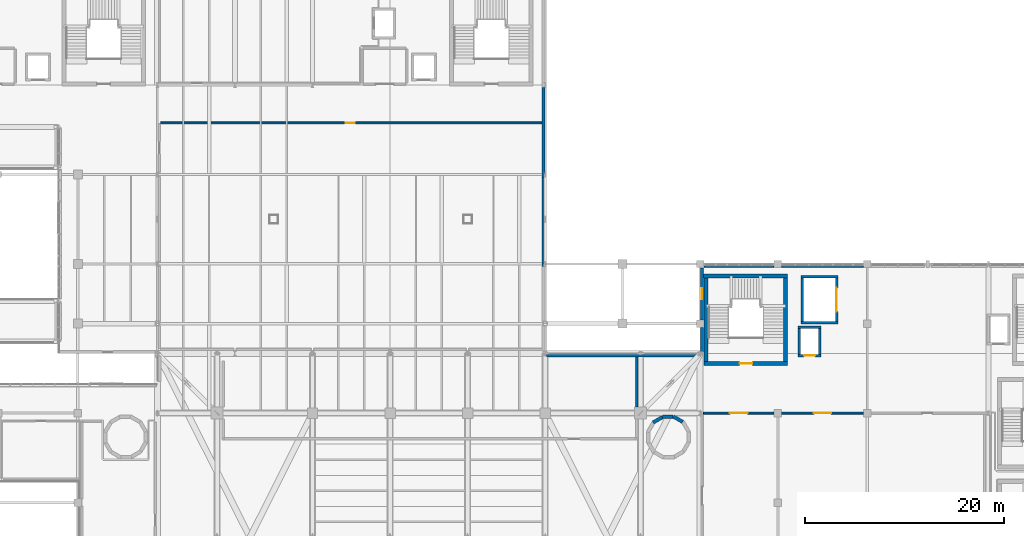
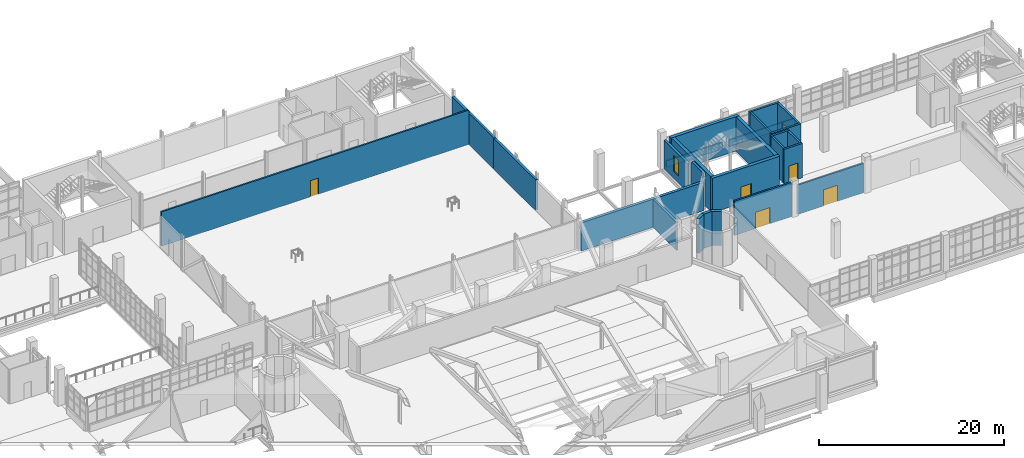
# One storey, part 114 of 127: 26 walls, 6 doors, 1 window, 7 openings.
"""IFC4 building model written with IfcOpenShell, lengths in metres."""

from ifc_helpers import new_model, si_unit, derived_unit, direction, frame, frame_2d, origin, place, context, subcontext, project, spatial, rectangle, extrude, material, layer, layer_set, type_object, element, fill, save


model = new_model("IFC4")

# Units and contexts
model_context = context("Model", 3, precision=1e-05, world=origin(), true_north=direction((0.0, 1.0)))
body_context = subcontext(model_context, "Body", "Model", "MODEL_VIEW")
ifc_project = project(units=[si_unit("LENGTHUNIT", "METRE"), si_unit("AREAUNIT", "SQUARE_METRE"), si_unit("VOLUMEUNIT", "CUBIC_METRE"), si_unit("PLANEANGLEUNIT", "RADIAN"), si_unit("MASSUNIT", "GRAM", prefix="KILO"), derived_unit("THERMALTRANSMITTANCEUNIT", [(si_unit("POWERUNIT", "WATT"), 1), (si_unit("LENGTHUNIT", "METRE"), -2), (si_unit("THERMODYNAMICTEMPERATUREUNIT", "KELVIN"), -1)])], contexts=[model_context])

# Site, building, storey
site_placement = place(None, origin())
site = spatial("IfcSite", under=ifc_project, at=site_placement, CompositionType="ELEMENT")
building_placement = place(site_placement, origin())
building = spatial("IfcBuilding", under=site, at=building_placement, Name="Nallur Shell Playhouse", CompositionType="ELEMENT")
storey_placement = place(building_placement, frame((0.0, 0.0, 5.39990234375)))
storey = spatial("IfcBuildingStorey", under=building, at=storey_placement, Name="L02", CompositionType="ELEMENT", Elevation=5.39990234375)

# Wall, opening, door
ifc_material_1 = material(Name="Concrete M45", Category="concrete")
ifc_layer_1 = layer(ifc_material_1, 0.39990234375)
ifc_layer_set_1 = layer_set([ifc_layer_1], Name="Concrete M45")
wall_type_1 = type_object("IfcWallType", Name="WL-CORE-400", PredefinedType="SHEAR", material=ifc_layer_set_1)
wall_1_placement = place(storey_placement, frame((119.0, 46.0, 0.0), z_axis=(0.0, 0.0, 1.0), x_axis=(1.0, 0.0, 0.0)))
wall_1 = element("IfcWall", 1, at=wall_1_placement, inside=storey, type_object=wall_type_1, Name="Joint Core JC-2 shear wall S (L02)", PredefinedType="SHEAR", context=body_context, shape_type="SweptSolid", body=[
    extrude(rectangle(XDim=8.39990234375, YDim=0.39990234375, at=frame_2d((4.199951171875, 0.0))), origin(), (0.0, 0.0, 1.0), 4.5400390625),
])
opening_1_placement = place(wall_1_placement, frame((3.550048828125, 0.0, 0.0)))
opening_1 = element("IfcOpeningElement", 2, at=opening_1_placement, cuts=wall_1, Name="Opening FD-ST1", PredefinedType="OPENING", context=body_context, shape_type="SweptSolid", body=[
    extrude(rectangle(XDim=1.300048828125, YDim=2.14990234375, at=frame_2d((0.64990234375, 1.074951171875))), frame((0.0, 0.2099609375, 0.0), z_axis=(0.0, -1.0, 0.0), x_axis=(1.0, 0.0, 0.0)), (0.0, 0.0, 1.0), 0.419921875),
])
ifc_material_2 = material(Name="Galvanised Steel Fire-Rated Stair Door", Category="steel")
door_type_1 = type_object("IfcDoorType", Name="DR-INT-STAIR-L", OperationType="SINGLE_SWING_LEFT", PredefinedType="DOOR", material=ifc_material_2)
door_1_placement = place(opening_1_placement, origin())
door_1 = element("IfcDoor", 3, at=door_1_placement, inside=storey, type_object=door_type_1, Name="Exit stair ST-02 fire door (L02)", OperationType="SINGLE_SWING_LEFT", OverallHeight=2.14990234375, OverallWidth=1.300048828125, PredefinedType="DOOR", context=body_context, shape_type="SweptSolid", body=[
    extrude(rectangle(XDim=1.300048828125, YDim=2.14990234375, at=frame_2d((0.64990234375, 1.074951171875))), frame((0.0, 0.02490234375, 0.0), z_axis=(0.0, -1.0, 0.0), x_axis=(1.0, 0.0, 0.0)), (0.0, 0.0, 1.0), 0.050048828125),
])
fill(opening_1, door_1)

# Walls
wall_2_placement = place(storey_placement, frame((127.39990234375, 54.800048828125, 0.0), z_axis=(0.0, 0.0, 1.0), x_axis=(-1.0, 0.0, 0.0)))
element("IfcWall", 4, at=wall_2_placement, inside=storey, type_object=wall_type_1, Name="Joint Core JC-2 shear wall N (L02)", PredefinedType="SHEAR", context=body_context, shape_type="SweptSolid", body=[
    extrude(rectangle(XDim=8.475830078125, YDim=0.39990234375, at=frame_2d((4.23779296875, 0.0))), origin(), (0.0, 0.0, 1.0), 4.5400390625),
])
for number, where, z_axis, x_axis, name in (
    (5, (127.199951171875, 46.2099609375, 0.0), (0.0, 0.0, 1.0), (0.0, 1.0, 0.0), "Joint Core JC-2 shear wall E (L02)"),
    (6, (119.199951171875, 54.590087890625, 0.0), (0.0, 0.0, 1.0), (0.0, -1.0, 0.0), "Joint Core JC-2 shear wall W (L02)"),
):
    element("IfcWall", number, at=place(storey_placement, frame(where, z_axis=z_axis, x_axis=x_axis)), inside=storey, type_object=wall_type_1, Name=name, PredefinedType="SHEAR", context=body_context, shape_type="SweptSolid", body=[
        extrude(rectangle(XDim=8.380126953125, YDim=0.39990234375, at=frame_2d((4.18994140625, 0.0))), origin(), (0.0, 0.0, 1.0), 4.5400390625),
    ])
for number, where, z_axis, x_axis, name in (
    (7, (116.8330078125, 40.114990234375, 0.0), (0.0, 0.0, 1.0), (-0.866062834654, 0.499935162227, 0.0), "Metabolist service drum DR-2 facet 2 (L02)"),
    (8, (115.883544921875, 40.62841796875, 0.0), (0.0, 0.0, 1.0), (-1.0, 0.0, 0.0), "Metabolist service drum DR-2 facet 3 (L02)"),
    (9, (114.804443359375, 40.598388671875, 0.0), (0.0, 0.0, 1.0), (-0.866062834654, -0.499935162227, 0.0), "Metabolist service drum DR-2 facet 4 (L02)"),
):
    element("IfcWall", number, at=place(storey_placement, frame(where, z_axis=z_axis, x_axis=x_axis)), inside=storey, type_object=wall_type_1, Name=name, PredefinedType="SHEAR", context=body_context, shape_type="SweptSolid", body=[
        extrude(rectangle(XDim=1.093017578125, YDim=0.35009765625, at=frame_2d((0.54638671875, 0.0))), origin(), (0.0, 0.0, 1.0), 4.5400390625),
    ])
ifc_material_3 = material(Name="Concrete M35", Category="concrete")
ifc_layer_2 = layer(ifc_material_3, 0.35009765625)
ifc_layer_set_2 = layer_set([ifc_layer_2], Name="Concrete M35")
wall_type_2 = type_object("IfcWallType", Name="WL-EXT-AC350", PredefinedType="STANDARD", material=ifc_layer_set_2)
wall_3_placement = place(storey_placement, frame((103.12890625, 46.804931640625, 0.0), z_axis=(0.0, 0.0, 1.0), x_axis=(1.0, 0.0, 0.0)))
element("IfcWall", 10, at=wall_3_placement, inside=storey, type_object=wall_type_2, Name="L02 exterior wall EW-L02-102", PredefinedType="STANDARD", context=body_context, shape_type="SweptSolid", body=[
    extrude(rectangle(XDim=15.2861328125, YDim=0.35009765625, at=frame_2d((7.64306640625, 0.0))), origin(), (0.0, 0.0, 1.0), 3.72509765625),
])
ifc_layer_3 = layer(ifc_material_3, 0.300048828125)
ifc_layer_set_3 = layer_set([ifc_layer_3], Name="Concrete M35")
wall_type_3 = type_object("IfcWallType", Name="WL-EXT-RC300", PredefinedType="STANDARD", material=ifc_layer_set_3)
wall_4_placement = place(storey_placement, frame((102.830078125, 73.76708984375, 0.0), z_axis=(0.0, 0.0, 1.0), x_axis=(0.0, -1.0, 0.0)))
element("IfcWall", 11, at=wall_4_placement, inside=storey, type_object=wall_type_3, Name="L02 exterior wall EW-L02-098", PredefinedType="STANDARD", context=body_context, shape_type="SweptSolid", body=[
    extrude(rectangle(XDim=9.0, YDim=0.300048828125, at=frame_2d((4.5, 0.0))), origin(), (0.0, 0.0, 1.0), 4.0751953125),
])
wall_5_placement = place(storey_placement, frame((102.830078125, 64.76708984375, 0.0), z_axis=(0.0, 0.0, 1.0), x_axis=(0.0, -1.0, 0.0)))
element("IfcWall", 12, at=wall_5_placement, inside=storey, type_object=wall_type_3, Name="L02 exterior wall EW-L02-099", PredefinedType="STANDARD", context=body_context, shape_type="SweptSolid", body=[
    extrude(rectangle(XDim=9.0, YDim=0.300048828125, at=frame_2d((4.5, 0.0))), origin(), (0.0, 0.0, 1.0), 4.025146484375),
])
wall_6_placement = place(storey_placement, frame((118.77001953125, 47.159912109375, 0.0), z_axis=(0.0, 0.0, 1.0), x_axis=(0.0, 1.0, 0.0)))
element("IfcWall", 13, at=wall_6_placement, inside=storey, type_object=wall_type_3, Name="L02 exterior wall EW-L02-103", PredefinedType="STANDARD", context=body_context, shape_type="SweptSolid", body=[
    extrude(rectangle(XDim=2.45703125, YDim=0.300048828125, at=frame_2d((1.228515625, 0.0))), origin(), (0.0, 0.0, 1.0), 4.5400390625),
])

# Wall, opening, window
wall_7_placement = place(storey_placement, frame((118.77001953125, 50.383056640625, 0.0), z_axis=(0.0, 0.0, 1.0), x_axis=(0.0, 1.0, 0.0)))
wall_7 = element("IfcWall", 14, at=wall_7_placement, inside=storey, type_object=wall_type_3, Name="L02 exterior wall EW-L02-104", PredefinedType="STANDARD", context=body_context, shape_type="SweptSolid", body=[
    extrude(rectangle(XDim=5.23388671875, YDim=0.300048828125, at=frame_2d((2.616943359375, 0.0))), origin(), (0.0, 0.0, 1.0), 3.775146484375),
])
opening_2_placement = place(wall_7_placement, frame((2.06689453125, 0.0, 0.949951171875)))
opening_2 = element("IfcOpeningElement", 15, at=opening_2_placement, cuts=wall_7, Name="Opening WN-08", PredefinedType="OPENING", context=body_context, shape_type="SweptSolid", body=[
    extrude(rectangle(XDim=1.10009765625, YDim=2.10009765625, at=frame_2d((0.550048828125, 1.050048828125))), frame((0.0, 0.16015625, 0.0), z_axis=(0.0, -1.0, 0.0), x_axis=(1.0, 0.0, 0.0)), (0.0, 0.0, 1.0), 0.320068359375),
])
ifc_material_4 = material(Name="Thermally Broken Aluminium Acoustic Double-Glazed Window", Category="aluminium")
window_type = type_object("IfcWindowType", Name="WN-TYPE-08", PartitioningType="SINGLE_PANEL", PredefinedType="WINDOW", material=ifc_material_4)
window_placement = place(opening_2_placement, origin())
window = element("IfcWindow", 16, at=window_placement, inside=storey, type_object=window_type, Name="L02 facade module window 040", OverallHeight=2.10009765625, OverallWidth=1.10009765625, PartitioningType="SINGLE_PANEL", PredefinedType="WINDOW", context=body_context, shape_type="SweptSolid", body=[
    extrude(rectangle(XDim=1.10009765625, YDim=2.10009765625, at=frame_2d((0.550048828125, 1.050048828125))), frame((0.0, 0.030029296875, 0.0), z_axis=(0.0, -1.0, 0.0), x_axis=(1.0, 0.0, 0.0)), (0.0, 0.0, 1.0), 0.06005859375),
])
fill(opening_2, window)

# Walls
ifc_layer_4 = layer(ifc_material_3, 0.179931640625)
ifc_layer_set_4 = layer_set([ifc_layer_4], Name="Concrete M35")
wall_type_4 = type_object("IfcWallType", Name="WL-PARAPET-180", PredefinedType="PARAPET", material=ifc_layer_set_4)
wall_8_placement = place(storey_placement, frame((118.985107421875, 55.760009765625, 0.0), z_axis=(0.0, 0.0, 1.0), x_axis=(1.0, 0.0, 0.0)))
element("IfcWall", 17, at=wall_8_placement, inside=storey, type_object=wall_type_4, Name="L02 curtain-wall internal spandrel upstand 013", PredefinedType="PARAPET", context=body_context, shape_type="SweptSolid", body=[
    extrude(rectangle(XDim=7.02978515625, YDim=0.179931640625, at=frame_2d((3.514892578125, 0.0))), origin(), (0.0, 0.0, 1.0), 0.880126953125),
])
wall_9_placement = place(storey_placement, frame((126.784912109375, 55.760009765625, 0.0), z_axis=(0.0, 0.0, 1.0), x_axis=(1.0, 0.0, 0.0)))
element("IfcWall", 18, at=wall_9_placement, inside=storey, type_object=wall_type_4, Name="L02 curtain-wall internal spandrel upstand 014", PredefinedType="PARAPET", context=body_context, shape_type="SweptSolid", body=[
    extrude(rectangle(XDim=8.22998046875, YDim=0.179931640625, at=frame_2d((4.114990234375, 0.0))), origin(), (0.0, 0.0, 1.0), 0.880126953125),
])

# Wall, opening, door
ifc_material_5 = material(Name="Concrete M30", Category="concrete")
ifc_layer_5 = layer(ifc_material_5, 0.199951171875)
ifc_layer_set_5 = layer_set([ifc_layer_5], Name="Concrete M30")
wall_type_5 = type_object("IfcWallType", Name="WL-PART-AC200", PredefinedType="PARTITIONING", material=ifc_layer_set_5)
wall_10_placement = place(storey_placement, frame((118.919921875, 41.0, 0.0), z_axis=(0.0, 0.0, 1.0), x_axis=(1.0, 0.0, 0.0)))
wall_10 = element("IfcWall", 19, at=wall_10_placement, inside=storey, type_object=wall_type_5, Name="Studio Theatre Pre-Function Foyer partition IW-L02-0155", PredefinedType="PARTITIONING", context=body_context, shape_type="SweptSolid", body=[
    extrude(rectangle(XDim=7.090087890625, YDim=0.199951171875, at=frame_2d((3.544921875, 0.0))), origin(), (0.0, 0.0, 1.0), 4.530029296875),
])
opening_3_placement = place(wall_10_placement, frame((2.64501953125, 0.0, 0.0)))
opening_3 = element("IfcOpeningElement", 20, at=opening_3_placement, cuts=wall_10, Name="Opening FD-FL1", PredefinedType="OPENING", context=body_context, shape_type="SweptSolid", body=[
    extrude(rectangle(XDim=1.800048828125, YDim=2.14990234375, at=frame_2d((0.89990234375, 1.074951171875))), frame((0.0, 0.10986328125, 0.0), z_axis=(0.0, -1.0, 0.0), x_axis=(1.0, 0.0, 0.0)), (0.0, 0.0, 1.0), 0.219970703125),
])
ifc_material_6 = material(Name="Firefighting Lobby Smoke-Seal Double Door")
door_type_2 = type_object("IfcDoorType", Name="DR-INT-FFL-DBL", OperationType="DOUBLE_DOOR_SINGLE_SWING", PredefinedType="DOOR", material=ifc_material_6)
door_2_placement = place(opening_3_placement, origin())
door_2 = element("IfcDoor", 21, at=door_2_placement, inside=storey, type_object=door_type_2, Name="L02 circulation link door 0057", OperationType="DOUBLE_DOOR_SINGLE_SWING", OverallHeight=2.14990234375, OverallWidth=1.800048828125, PredefinedType="DOOR", context=body_context, shape_type="SweptSolid", body=[
    extrude(rectangle(XDim=1.800048828125, YDim=2.14990234375, at=frame_2d((0.89990234375, 1.074951171875))), frame((0.0, 0.02490234375, 0.0), z_axis=(0.0, -1.0, 0.0), x_axis=(1.0, 0.0, 0.0)), (0.0, 0.0, 1.0), 0.050048828125),
])
fill(opening_3, door_2)

wall_11_placement = place(storey_placement, frame((126.7900390625, 41.0, 0.0), z_axis=(0.0, 0.0, 1.0), x_axis=(1.0, 0.0, 0.0)))
wall_11 = element("IfcWall", 22, at=wall_11_placement, inside=storey, type_object=wall_type_5, Name="Studio Theatre Pre-Function Foyer partition IW-L02-0156", PredefinedType="PARTITIONING", context=body_context, shape_type="SweptSolid", body=[
    extrude(rectangle(XDim=8.219970703125, YDim=0.199951171875, at=frame_2d((4.10986328125, 0.0))), origin(), (0.0, 0.0, 1.0), 3.89013671875),
])
opening_4_placement = place(wall_11_placement, frame((3.2099609375, 0.0, 0.0)))
opening_4 = element("IfcOpeningElement", 23, at=opening_4_placement, cuts=wall_11, Name="Opening FD-FL1", PredefinedType="OPENING", context=body_context, shape_type="SweptSolid", body=[
    extrude(rectangle(XDim=1.800048828125, YDim=2.14990234375, at=frame_2d((0.89990234375, 1.074951171875))), frame((0.0, 0.10986328125, 0.0), z_axis=(0.0, -1.0, 0.0), x_axis=(1.0, 0.0, 0.0)), (0.0, 0.0, 1.0), 0.219970703125),
])
door_3_placement = place(opening_4_placement, origin())
door_3 = element("IfcDoor", 24, at=door_3_placement, inside=storey, type_object=door_type_2, Name="L02 circulation link door 0058", OperationType="DOUBLE_DOOR_SINGLE_SWING", OverallHeight=2.14990234375, OverallWidth=1.800048828125, PredefinedType="DOOR", context=body_context, shape_type="SweptSolid", body=[
    extrude(rectangle(XDim=1.800048828125, YDim=2.14990234375, at=frame_2d((0.89990234375, 1.074951171875))), frame((0.0, 0.02490234375, 0.0), z_axis=(0.0, -1.0, 0.0), x_axis=(1.0, 0.0, 0.0)), (0.0, 0.0, 1.0), 0.050048828125),
])
fill(opening_4, door_3)

wall_12_placement = place(storey_placement, frame((64.320068359375, 70.199951171875, 0.0), z_axis=(0.0, 0.0, 1.0), x_axis=(1.0, 0.0, 0.0)))
wall_12 = element("IfcWall", 25, at=wall_12_placement, inside=storey, type_object=wall_type_5, Name="Stage Dimmer, Amplifier & Rack Room partition IW-L02-0176", PredefinedType="PARTITIONING", context=body_context, shape_type="SweptSolid", body=[
    extrude(rectangle(XDim=38.35595703125, YDim=0.199951171875, at=frame_2d((19.177978515625, 0.0))), origin(), (0.0, 0.0, 1.0), 4.530029296875),
])
opening_5_placement = place(wall_12_placement, frame((18.60498046875, 0.0, 0.0)))
opening_5 = element("IfcOpeningElement", 26, at=opening_5_placement, cuts=wall_12, Name="Opening ID-04", PredefinedType="OPENING", context=body_context, shape_type="SweptSolid", body=[
    extrude(rectangle(XDim=0.949951171875, YDim=2.14990234375, at=frame_2d((0.47509765625, 1.074951171875))), frame((0.0, 0.10986328125, 0.0), z_axis=(0.0, -1.0, 0.0), x_axis=(1.0, 0.0, 0.0)), (0.0, 0.0, 1.0), 0.219970703125),
])
ifc_material_7 = material(Name="Solid-Core Engineered Timber Door", Category="wood")
door_type_3 = type_object("IfcDoorType", Name="DR-INT-SGL950R", OperationType="SINGLE_SWING_RIGHT", PredefinedType="DOOR", material=ifc_material_7)
door_4_placement = place(opening_5_placement, origin())
door_4 = element("IfcDoor", 27, at=door_4_placement, inside=storey, type_object=door_type_3, Name="Stage Dimmer, Amplifier & Rack Room door 1", OperationType="SINGLE_SWING_RIGHT", OverallHeight=2.14990234375, OverallWidth=0.949951171875, PredefinedType="DOOR", context=body_context, shape_type="SweptSolid", body=[
    extrude(rectangle(XDim=0.949951171875, YDim=2.14990234375, at=frame_2d((0.47509765625, 1.074951171875))), frame((0.0, 0.02490234375, 0.0), z_axis=(0.0, -1.0, 0.0), x_axis=(1.0, 0.0, 0.0)), (0.0, 0.0, 1.0), 0.050048828125),
])
fill(opening_5, door_4)

# Wall
ifc_layer_6 = layer(ifc_material_5, 0.25)
ifc_layer_set_6 = layer_set([ifc_layer_6], Name="Concrete M30")
wall_type_6 = type_object("IfcWallType", Name="WL-PART-AC250", PredefinedType="PARTITIONING", material=ifc_layer_set_6)
wall_13_placement = place(storey_placement, frame((112.199951171875, 46.6259765625, 0.0), z_axis=(0.0, 0.0, 1.0), x_axis=(0.0, -1.0, 0.0)))
element("IfcWall", 28, at=wall_13_placement, inside=storey, type_object=wall_type_6, Name="Main Theatre Auditorium Stalls Bowl partition IW-L02-0134", PredefinedType="PARTITIONING", context=body_context, shape_type="SweptSolid", body=[
    extrude(rectangle(XDim=5.010986328125, YDim=0.25, at=frame_2d((2.50537109375, 0.0))), origin(), (0.0, 0.0, 1.0), 3.72021484375),
])

# Wall, opening, door
ifc_layer_7 = layer(ifc_material_1, 0.25)
ifc_layer_set_7 = layer_set([ifc_layer_7], Name="Concrete M45")
wall_type_7 = type_object("IfcWallType", Name="WL-SHAFT-250", PredefinedType="STANDARD", material=ifc_layer_set_7)
wall_14_placement = place(storey_placement, frame((128.449951171875, 46.77490234375, 0.0), z_axis=(0.0, 0.0, 1.0), x_axis=(1.0, 0.0, 0.0)))
wall_14 = element("IfcWall", 29, at=wall_14_placement, inside=storey, type_object=wall_type_7, Name="Passenger Lift PL-2 shaft wall south (L02)", PredefinedType="STANDARD", context=body_context, shape_type="SweptSolid", body=[
    extrude(rectangle(XDim=2.300048828125, YDim=0.25, at=frame_2d((1.14990234375, 0.0))), origin(), (0.0, 0.0, 1.0), 4.530029296875),
])
opening_6_placement = place(wall_14_placement, frame((0.60009765625, 0.0, 0.0)))
opening_6 = element("IfcOpeningElement", 30, at=opening_6_placement, cuts=wall_14, Name="Opening LD-P1", PredefinedType="OPENING", context=body_context, shape_type="SweptSolid", body=[
    extrude(rectangle(XDim=1.10009765625, YDim=2.14990234375, at=frame_2d((0.550048828125, 1.074951171875))), frame((0.0, 0.135009765625, 0.0), z_axis=(0.0, -1.0, 0.0), x_axis=(1.0, 0.0, 0.0)), (0.0, 0.0, 1.0), 0.27001953125),
])
ifc_material_8 = material(Name="Brushed Stainless Steel Lift Landing Door", Category="steel")
door_type_4 = type_object("IfcDoorType", Name="DR-LIFT-PASS", OperationType="DOUBLE_DOOR_SLIDING", PredefinedType="DOOR", material=ifc_material_8)
door_5_placement = place(opening_6_placement, origin())
door_5 = element("IfcDoor", 31, at=door_5_placement, inside=storey, type_object=door_type_4, Name="Passenger Lift PL-2 sliding landing door (L02)", OperationType="DOUBLE_DOOR_SLIDING", OverallHeight=2.14990234375, OverallWidth=1.10009765625, PredefinedType="DOOR", context=body_context, shape_type="SweptSolid", body=[
    extrude(rectangle(XDim=1.10009765625, YDim=2.14990234375, at=frame_2d((0.550048828125, 1.074951171875))), frame((0.0, 0.02490234375, 0.0), z_axis=(0.0, -1.0, 0.0), x_axis=(1.0, 0.0, 0.0)), (0.0, 0.0, 1.0), 0.050048828125),
])
fill(opening_6, door_5)

# Walls
wall_15_placement = place(storey_placement, frame((130.75, 49.625, 0.0), z_axis=(0.0, 0.0, 1.0), x_axis=(-1.0, 0.0, 0.0)))
element("IfcWall", 32, at=wall_15_placement, inside=storey, type_object=wall_type_7, Name="Passenger Lift PL-2 shaft wall north (L02)", PredefinedType="STANDARD", context=body_context, shape_type="SweptSolid", body=[
    extrude(rectangle(XDim=2.300048828125, YDim=0.25, at=frame_2d((1.14990234375, 0.0))), origin(), (0.0, 0.0, 1.0), 4.530029296875),
])
for number, where, z_axis, x_axis, name in (
    (33, (130.625, 46.909912109375, 0.0), (0.0, 0.0, 1.0), (0.0, 1.0, 0.0), "Passenger Lift PL-2 shaft wall east (L02)"),
    (34, (128.574951171875, 49.489990234375, 0.0), (0.0, 0.0, 1.0), (0.0, -1.0, 0.0), "Passenger Lift PL-2 shaft wall west (L02)"),
):
    element("IfcWall", number, at=place(storey_placement, frame(where, z_axis=z_axis, x_axis=x_axis)), inside=storey, type_object=wall_type_7, Name=name, PredefinedType="STANDARD", context=body_context, shape_type="SweptSolid", body=[
        extrude(rectangle(XDim=2.580078125, YDim=0.25, at=frame_2d((1.2900390625, 0.0))), origin(), (0.0, 0.0, 1.0), 4.530029296875),
    ])
for number, where, z_axis, x_axis, name in (
    (35, (128.75, 50.074951171875, 0.0), (0.0, 0.0, 1.0), (1.0, 0.0, 0.0), "Stage Service Lift SL-2 shaft wall south (L02)"),
    (36, (132.449951171875, 54.72509765625, 0.0), (0.0, 0.0, 1.0), (-1.0, 0.0, 0.0), "Stage Service Lift SL-2 shaft wall north (L02)"),
):
    element("IfcWall", number, at=place(storey_placement, frame(where, z_axis=z_axis, x_axis=x_axis)), inside=storey, type_object=wall_type_7, Name=name, PredefinedType="STANDARD", context=body_context, shape_type="SweptSolid", body=[
        extrude(rectangle(XDim=3.699951171875, YDim=0.25, at=frame_2d((1.85009765625, 0.0))), origin(), (0.0, 0.0, 1.0), 4.530029296875),
    ])

# Wall, opening, door
wall_16_placement = place(storey_placement, frame((132.324951171875, 50.2099609375, 0.0), z_axis=(0.0, 0.0, 1.0), x_axis=(0.0, 1.0, 0.0)))
wall_16 = element("IfcWall", 37, at=wall_16_placement, inside=storey, type_object=wall_type_7, Name="Stage Service Lift SL-2 shaft wall east (L02)", PredefinedType="STANDARD", context=body_context, shape_type="SweptSolid", body=[
    extrude(rectangle(XDim=4.380126953125, YDim=0.25, at=frame_2d((2.18994140625, 0.0))), origin(), (0.0, 0.0, 1.0), 4.530029296875),
])
opening_7_placement = place(wall_16_placement, frame((0.989990234375, 0.0, 0.0)))
opening_7 = element("IfcOpeningElement", 38, at=opening_7_placement, cuts=wall_16, Name="Opening LD-S1", PredefinedType="OPENING", context=body_context, shape_type="SweptSolid", body=[
    extrude(rectangle(XDim=2.39990234375, YDim=2.550048828125, at=frame_2d((1.199951171875, 1.27490234375))), frame((0.0, 0.135009765625, 0.0), z_axis=(0.0, -1.0, 0.0), x_axis=(1.0, 0.0, 0.0)), (0.0, 0.0, 1.0), 0.27001953125),
])
ifc_material_9 = material(Name="Scenery Freight Lift Bi-Parting Landing Door")
door_type_5 = type_object("IfcDoorType", Name="DR-LIFT-SCEN", OperationType="DOUBLE_DOOR_SLIDING", PredefinedType="DOOR", material=ifc_material_9)
door_6_placement = place(opening_7_placement, origin())
door_6 = element("IfcDoor", 39, at=door_6_placement, inside=storey, type_object=door_type_5, Name="Stage Service Lift SL-2 sliding landing door (L02)", OperationType="DOUBLE_DOOR_SLIDING", OverallHeight=2.550048828125, OverallWidth=2.39990234375, PredefinedType="DOOR", context=body_context, shape_type="SweptSolid", body=[
    extrude(rectangle(XDim=2.39990234375, YDim=2.550048828125, at=frame_2d((1.199951171875, 1.27490234375))), frame((0.0, 0.02490234375, 0.0), z_axis=(0.0, -1.0, 0.0), x_axis=(1.0, 0.0, 0.0)), (0.0, 0.0, 1.0), 0.050048828125),
])
fill(opening_7, door_6)

# Wall
wall_17_placement = place(storey_placement, frame((128.875, 54.590087890625, 0.0), z_axis=(0.0, 0.0, 1.0), x_axis=(0.0, -1.0, 0.0)))
element("IfcWall", 40, at=wall_17_placement, inside=storey, type_object=wall_type_7, Name="Stage Service Lift SL-2 shaft wall west (L02)", PredefinedType="STANDARD", context=body_context, shape_type="SweptSolid", body=[
    extrude(rectangle(XDim=4.380126953125, YDim=0.25, at=frame_2d((2.18994140625, 0.0))), origin(), (0.0, 0.0, 1.0), 4.530029296875),
])

save(model, "model.ifc")
